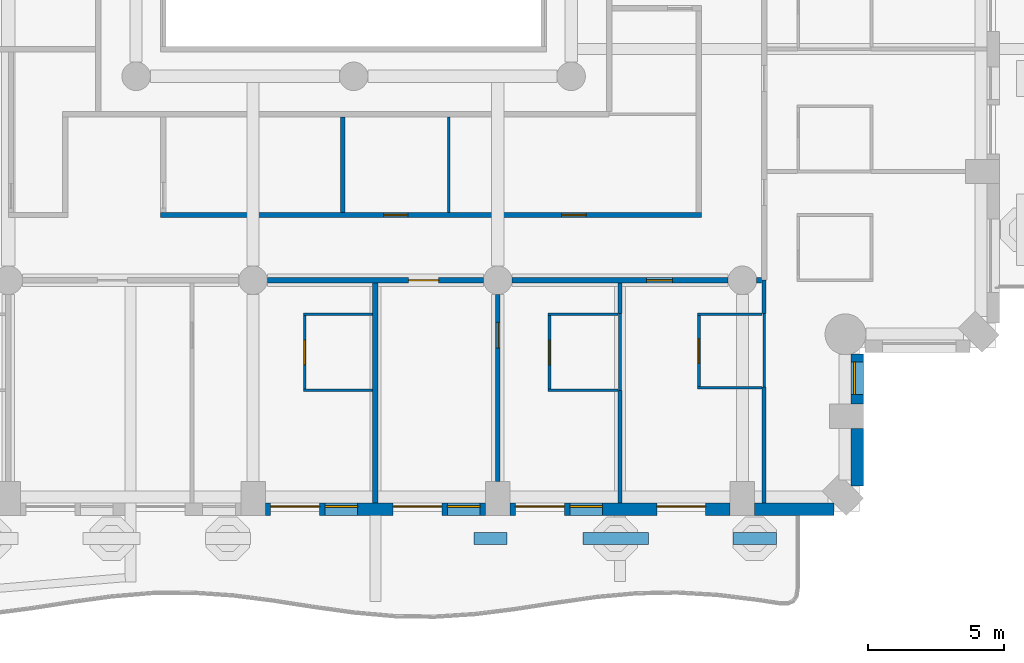
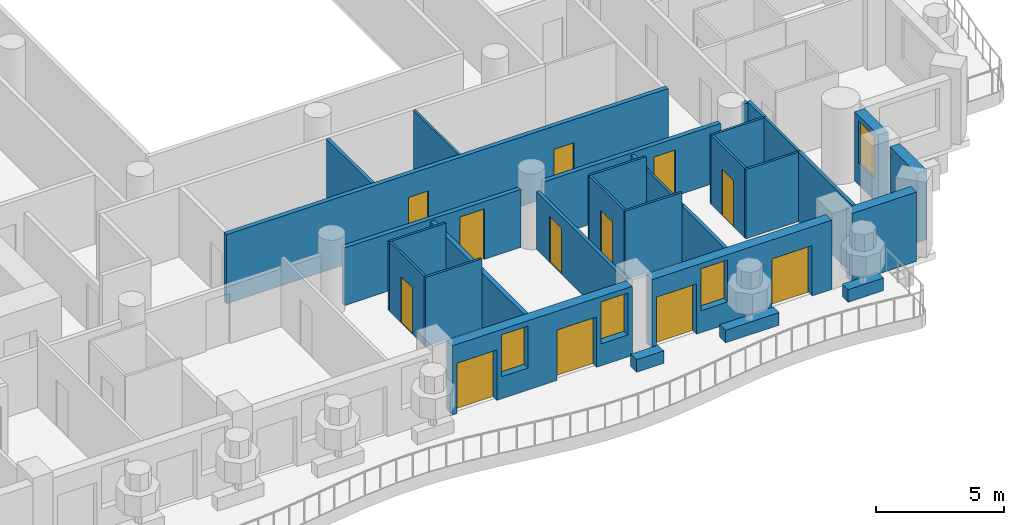
# One storey, part 5 of 20: 31 walls, 12 doors, 4 windows, 16 openings.
"""IFC4 building model written with IfcOpenShell, lengths in metres."""

from ifc_helpers import new_model, si_unit, direction, frame, frame_2d, origin, place, context, subcontext, project, spatial, rectangle, extrude, material, layer, layer_set, type_object, element, fill, save


model = new_model("IFC4")

# Units and contexts
model_context = context("Model", 3, precision=1e-05, world=origin(), true_north=direction((0.0, 1.0)))
body_context = subcontext(model_context, "Body", "Model", "MODEL_VIEW")
ifc_project = project(units=[si_unit("LENGTHUNIT", "METRE"), si_unit("AREAUNIT", "SQUARE_METRE"), si_unit("VOLUMEUNIT", "CUBIC_METRE"), si_unit("PLANEANGLEUNIT", "RADIAN"), si_unit("MASSUNIT", "GRAM", prefix="KILO")], contexts=[model_context])

# Site, building, storey
site_placement = place(None, origin())
site = spatial("IfcSite", under=ifc_project, at=site_placement, CompositionType="ELEMENT")
building_placement = place(site_placement, origin())
building = spatial("IfcBuilding", under=site, at=building_placement, Name="Cypress Arch Tower", CompositionType="ELEMENT")
storey_placement = place(building_placement, frame((0.0, 0.0, 131.10009765625)))
storey = spatial("IfcBuildingStorey", under=building, at=storey_placement, Name="L28", CompositionType="ELEMENT", Elevation=131.10009765625)

# Walls
ifc_material_1 = material(Name="Concrete C40/50, waterproofed", Category="concrete")
ifc_layer_1 = layer(ifc_material_1, 0.449951171875)
ifc_layer_set_1 = layer_set([ifc_layer_1], Name="Balcony planter wall PW450")
wall_type_1 = type_object("IfcWallType", Name="Balcony planter wall PW450", PredefinedType="SOLIDWALL", material=ifc_layer_set_1)
wall_1_placement = place(storey_placement, frame((5.419921875, -27.0, 0.0), z_axis=(0.0, 0.0, 1.0), x_axis=(1.0, 0.0, 0.0)))
element("IfcWall", 1, at=wall_1_placement, inside=storey, type_object=wall_type_1, Name="Balcony planter wall L28-A03.5", PredefinedType="SOLIDWALL", context=body_context, shape_type="SweptSolid", body=[
    extrude(rectangle(XDim=1.22998046875, YDim=0.449951171875, at=frame_2d((0.614990234375, 0.0))), origin(), (0.0, 0.0, 1.0), 0.599853515625),
])
wall_2_placement = place(storey_placement, frame((9.429931640625, -27.0, 0.0), z_axis=(0.0, 0.0, 1.0), x_axis=(1.0, 0.0, 0.0)))
element("IfcWall", 2, at=wall_2_placement, inside=storey, type_object=wall_type_1, Name="Balcony planter wall L28-A03.6", PredefinedType="SOLIDWALL", context=body_context, shape_type="SweptSolid", body=[
    extrude(rectangle(XDim=2.420166015625, YDim=0.449951171875, at=frame_2d((1.2099609375, 0.0))), origin(), (0.0, 0.0, 1.0), 0.599853515625),
])
wall_3_placement = place(storey_placement, frame((14.949951171875, -27.0, 0.0), z_axis=(0.0, 0.0, 1.0), x_axis=(1.0, 0.0, 0.0)))
element("IfcWall", 3, at=wall_3_placement, inside=storey, type_object=wall_type_1, Name="Balcony planter wall L28-A03.7", PredefinedType="SOLIDWALL", context=body_context, shape_type="SweptSolid", body=[
    extrude(rectangle(XDim=1.60009765625, YDim=0.449951171875, at=frame_2d((0.800048828125, 0.0))), origin(), (0.0, 0.0, 1.0), 0.599853515625),
])

# Wall, openings, doors, windows
ifc_material_2 = material(Name="Brick (red buff blend)", Category="masonry")
ifc_layer_2 = layer(ifc_material_2, 0.449951171875)
ifc_layer_set_2 = layer_set([ifc_layer_2], Name="Brick pier and spandrel wall BW450")
wall_type_2 = type_object("IfcWallType", Name="Brick pier and spandrel wall BW450", PredefinedType="SOLIDWALL", material=ifc_layer_set_2)
wall_4_placement = place(storey_placement, frame((-2.25, -25.925048828125, 0.0), z_axis=(0.0, 0.0, 1.0), x_axis=(1.0, 0.0, 0.0)))
wall_4 = element("IfcWall", 4, at=wall_4_placement, inside=storey, type_object=wall_type_2, Name="Brick wall L28 A03.3", PredefinedType="SOLIDWALL", context=body_context, shape_type="SweptSolid", body=[
    extrude(rectangle(XDim=8.10009765625, YDim=0.449951171875, at=frame_2d((4.050048828125, 0.0))), origin(), (0.0, 0.0, 1.0), 3.2998046875),
])
opening_1_placement = place(wall_4_placement, frame((0.199951171875, 0.0, 0.0)))
opening_1 = element("IfcOpeningElement", 5, at=opening_1_placement, cuts=wall_4, Name="Opening D-L28-A03.3.1", PredefinedType="OPENING", context=body_context, shape_type="SweptSolid", body=[
    extrude(rectangle(XDim=1.800048828125, YDim=2.39990234375, at=frame_2d((0.89990234375, 1.199951171875))), frame((0.0, 0.23486328125, 0.0), z_axis=(0.0, -1.0, 0.0), x_axis=(1.0, 0.0, 0.0)), (0.0, 0.0, 1.0), 0.469970703125),
])
opening_2_placement = place(wall_4_placement, frame((2.199951171875, 0.0, 1.050048828125)))
opening_2 = element("IfcOpeningElement", 6, at=opening_2_placement, cuts=wall_4, Name="Opening W120HD", PredefinedType="OPENING", context=body_context, shape_type="SweptSolid", body=[
    extrude(rectangle(XDim=1.199951171875, YDim=2.0, at=frame_2d((0.60009765625, 1.0))), frame((0.0, 0.23486328125, 0.0), z_axis=(0.0, -1.0, 0.0), x_axis=(1.0, 0.0, 0.0)), (0.0, 0.0, 1.0), 0.469970703125),
])
opening_3_placement = place(wall_4_placement, frame((4.699951171875, 0.0, 0.0)))
opening_3 = element("IfcOpeningElement", 7, at=opening_3_placement, cuts=wall_4, Name="Opening D-L28-A03.3.2", PredefinedType="OPENING", context=body_context, shape_type="SweptSolid", body=[
    extrude(rectangle(XDim=1.800048828125, YDim=2.39990234375, at=frame_2d((0.89990234375, 1.199951171875))), frame((0.0, 0.23486328125, 0.0), z_axis=(0.0, -1.0, 0.0), x_axis=(1.0, 0.0, 0.0)), (0.0, 0.0, 1.0), 0.469970703125),
])
opening_4_placement = place(wall_4_placement, frame((6.699951171875, 0.0, 1.050048828125)))
opening_4 = element("IfcOpeningElement", 8, at=opening_4_placement, cuts=wall_4, Name="Opening W120HD", PredefinedType="OPENING", context=body_context, shape_type="SweptSolid", body=[
    extrude(rectangle(XDim=1.199951171875, YDim=2.0, at=frame_2d((0.60009765625, 1.0))), frame((0.0, 0.23486328125, 0.0), z_axis=(0.0, -1.0, 0.0), x_axis=(1.0, 0.0, 0.0)), (0.0, 0.0, 1.0), 0.469970703125),
])
ifc_material_3 = material(Name="Anodised aluminium, bronze finish, laminated low-emissivity double glazing, large-missile impact rated", Category="aluminium")
door_type_1 = type_object("IfcDoorType", Name="Balcony sliding door 1800x2400", OperationType="SLIDING_TO_LEFT", PredefinedType="DOOR", material=ifc_material_3)
door_1_placement = place(opening_1_placement, origin())
door_1 = element("IfcDoor", 9, at=door_1_placement, inside=storey, type_object=door_type_1, Name="Balcony door L28 A03.3.1", OperationType="SLIDING_TO_LEFT", OverallHeight=2.39990234375, OverallWidth=1.800048828125, PredefinedType="DOOR", context=body_context, shape_type="SweptSolid", body=[
    extrude(rectangle(XDim=1.800048828125, YDim=2.39990234375, at=frame_2d((0.89990234375, 1.199951171875))), frame((0.0, 0.1298828125, 0.0), z_axis=(0.0, -1.0, 0.0), x_axis=(1.0, 0.0, 0.0)), (0.0, 0.0, 1.0), 0.050048828125),
])
fill(opening_1, door_1)
door_2_placement = place(opening_3_placement, origin())
door_2 = element("IfcDoor", 10, at=door_2_placement, inside=storey, type_object=door_type_1, Name="Balcony door L28 A03.3.2", OperationType="SLIDING_TO_LEFT", OverallHeight=2.39990234375, OverallWidth=1.800048828125, PredefinedType="DOOR", context=body_context, shape_type="SweptSolid", body=[
    extrude(rectangle(XDim=1.800048828125, YDim=2.39990234375, at=frame_2d((0.89990234375, 1.199951171875))), frame((0.0, 0.1298828125, 0.0), z_axis=(0.0, -1.0, 0.0), x_axis=(1.0, 0.0, 0.0)), (0.0, 0.0, 1.0), 0.050048828125),
])
fill(opening_3, door_2)
ifc_material_4 = material(Name="Anodised aluminium, bronze finish, laminated low-emissivity double glazing, large-missile impact rated", Category="aluminium")
window_type_1 = type_object("IfcWindowType", Name="Window Hotel 1200x2000 debris-rated", PartitioningType="SINGLE_PANEL", PredefinedType="WINDOW", material=ifc_material_4)
window_1_placement = place(opening_2_placement, origin())
window_1 = element("IfcWindow", 11, at=window_1_placement, inside=storey, type_object=window_type_1, Name="Window L28 A03.3.1", OverallHeight=2.0, OverallWidth=1.199951171875, PartitioningType="SINGLE_PANEL", PredefinedType="WINDOW", context=body_context, shape_type="SweptSolid", body=[
    extrude(rectangle(XDim=1.199951171875, YDim=2.0, at=frame_2d((0.60009765625, 1.0))), frame((0.0, 0.135009765625, 0.0), z_axis=(0.0, -1.0, 0.0), x_axis=(1.0, 0.0, 0.0)), (0.0, 0.0, 1.0), 0.06005859375),
])
fill(opening_2, window_1)
window_2_placement = place(opening_4_placement, origin())
window_2 = element("IfcWindow", 12, at=window_2_placement, inside=storey, type_object=window_type_1, Name="Window L28 A03.3.2", OverallHeight=2.0, OverallWidth=1.199951171875, PartitioningType="SINGLE_PANEL", PredefinedType="WINDOW", context=body_context, shape_type="SweptSolid", body=[
    extrude(rectangle(XDim=1.199951171875, YDim=2.0, at=frame_2d((0.60009765625, 1.0))), frame((0.0, 0.135009765625, 0.0), z_axis=(0.0, -1.0, 0.0), x_axis=(1.0, 0.0, 0.0)), (0.0, 0.0, 1.0), 0.06005859375),
])
fill(opening_4, window_2)

# Wall, openings, doors, window
wall_5_placement = place(storey_placement, frame((6.75, -25.925048828125, 0.0), z_axis=(0.0, 0.0, 1.0), x_axis=(1.0, 0.0, 0.0)))
wall_5 = element("IfcWall", 13, at=wall_5_placement, inside=storey, type_object=wall_type_2, Name="Brick wall L28 A03.4", PredefinedType="SOLIDWALL", context=body_context, shape_type="SweptSolid", body=[
    extrude(rectangle(XDim=8.10009765625, YDim=0.449951171875, at=frame_2d((4.050048828125, 0.0))), origin(), (0.0, 0.0, 1.0), 3.2998046875),
])
opening_5_placement = place(wall_5_placement, frame((0.199951171875, 0.0, 0.0)))
opening_5 = element("IfcOpeningElement", 14, at=opening_5_placement, cuts=wall_5, Name="Opening D-L28-A03.4.1", PredefinedType="OPENING", context=body_context, shape_type="SweptSolid", body=[
    extrude(rectangle(XDim=1.800048828125, YDim=2.39990234375, at=frame_2d((0.89990234375, 1.199951171875))), frame((0.0, 0.23486328125, 0.0), z_axis=(0.0, -1.0, 0.0), x_axis=(1.0, 0.0, 0.0)), (0.0, 0.0, 1.0), 0.469970703125),
])
opening_6_placement = place(wall_5_placement, frame((2.199951171875, 0.0, 1.050048828125)))
opening_6 = element("IfcOpeningElement", 15, at=opening_6_placement, cuts=wall_5, Name="Opening W120HD", PredefinedType="OPENING", context=body_context, shape_type="SweptSolid", body=[
    extrude(rectangle(XDim=1.199951171875, YDim=2.0, at=frame_2d((0.60009765625, 1.0))), frame((0.0, 0.23486328125, 0.0), z_axis=(0.0, -1.0, 0.0), x_axis=(1.0, 0.0, 0.0)), (0.0, 0.0, 1.0), 0.469970703125),
])
opening_7_placement = place(wall_5_placement, frame((5.39990234375, 0.0, 0.0)))
opening_7 = element("IfcOpeningElement", 16, at=opening_7_placement, cuts=wall_5, Name="Opening D-L28-A03.4.2", PredefinedType="OPENING", context=body_context, shape_type="SweptSolid", body=[
    extrude(rectangle(XDim=1.800048828125, YDim=2.39990234375, at=frame_2d((0.89990234375, 1.199951171875))), frame((0.0, 0.23486328125, 0.0), z_axis=(0.0, -1.0, 0.0), x_axis=(1.0, 0.0, 0.0)), (0.0, 0.0, 1.0), 0.469970703125),
])
door_3_placement = place(opening_5_placement, origin())
door_3 = element("IfcDoor", 17, at=door_3_placement, inside=storey, type_object=door_type_1, Name="Balcony door L28 A03.4.1", OperationType="SLIDING_TO_LEFT", OverallHeight=2.39990234375, OverallWidth=1.800048828125, PredefinedType="DOOR", context=body_context, shape_type="SweptSolid", body=[
    extrude(rectangle(XDim=1.800048828125, YDim=2.39990234375, at=frame_2d((0.89990234375, 1.199951171875))), frame((0.0, 0.1298828125, 0.0), z_axis=(0.0, -1.0, 0.0), x_axis=(1.0, 0.0, 0.0)), (0.0, 0.0, 1.0), 0.050048828125),
])
fill(opening_5, door_3)
door_4_placement = place(opening_7_placement, origin())
door_4 = element("IfcDoor", 18, at=door_4_placement, inside=storey, type_object=door_type_1, Name="Balcony door L28 A03.4.2", OperationType="SLIDING_TO_LEFT", OverallHeight=2.39990234375, OverallWidth=1.800048828125, PredefinedType="DOOR", context=body_context, shape_type="SweptSolid", body=[
    extrude(rectangle(XDim=1.800048828125, YDim=2.39990234375, at=frame_2d((0.89990234375, 1.199951171875))), frame((0.0, 0.1298828125, 0.0), z_axis=(0.0, -1.0, 0.0), x_axis=(1.0, 0.0, 0.0)), (0.0, 0.0, 1.0), 0.050048828125),
])
fill(opening_7, door_4)
window_3_placement = place(opening_6_placement, origin())
window_3 = element("IfcWindow", 19, at=window_3_placement, inside=storey, type_object=window_type_1, Name="Window L28 A03.4.1", OverallHeight=2.0, OverallWidth=1.199951171875, PartitioningType="SINGLE_PANEL", PredefinedType="WINDOW", context=body_context, shape_type="SweptSolid", body=[
    extrude(rectangle(XDim=1.199951171875, YDim=2.0, at=frame_2d((0.60009765625, 1.0))), frame((0.0, 0.135009765625, 0.0), z_axis=(0.0, -1.0, 0.0), x_axis=(1.0, 0.0, 0.0)), (0.0, 0.0, 1.0), 0.06005859375),
])
fill(opening_6, window_3)

# Walls
wall_6_placement = place(storey_placement, frame((15.75, -25.925048828125, 0.0), z_axis=(0.0, 0.0, 1.0), x_axis=(1.0, 0.0, 0.0)))
element("IfcWall", 20, at=wall_6_placement, inside=storey, type_object=wall_type_2, Name="Brick wall L28 A03.5", PredefinedType="SOLIDWALL", context=body_context, shape_type="SweptSolid", body=[
    extrude(rectangle(XDim=2.91357421875, YDim=0.449951171875, at=frame_2d((1.456787109375, 0.0))), origin(), (0.0, 0.0, 1.0), 3.2998046875),
])
wall_7_placement = place(storey_placement, frame((19.52490234375, -25.063720703125, 0.0), z_axis=(0.0, 0.0, 1.0), x_axis=(0.0, 1.0, 0.0)))
element("IfcWall", 21, at=wall_7_placement, inside=storey, type_object=wall_type_2, Name="Brick wall L28 A04.0", PredefinedType="SOLIDWALL", context=body_context, shape_type="SweptSolid", body=[
    extrude(rectangle(XDim=2.11376953125, YDim=0.449951171875, at=frame_2d((1.056884765625, 0.0))), origin(), (0.0, 0.0, 1.0), 3.2998046875),
])

# Wall, opening, window
wall_8_placement = place(storey_placement, frame((19.52490234375, -22.050048828125, 0.0), z_axis=(0.0, 0.0, 1.0), x_axis=(0.0, 1.0, 0.0)))
wall_8 = element("IfcWall", 22, at=wall_8_placement, inside=storey, type_object=wall_type_2, Name="Brick wall L28 A04.1", PredefinedType="SOLIDWALL", context=body_context, shape_type="SweptSolid", body=[
    extrude(rectangle(XDim=1.843017578125, YDim=0.449951171875, at=frame_2d((0.92138671875, 0.0))), origin(), (0.0, 0.0, 1.0), 3.2998046875),
])
opening_8_placement = place(wall_8_placement, frame((0.35009765625, 0.0, 1.050048828125)))
opening_8 = element("IfcOpeningElement", 23, at=opening_8_placement, cuts=wall_8, Name="Opening W120H", PredefinedType="OPENING", context=body_context, shape_type="SweptSolid", body=[
    extrude(rectangle(XDim=1.199951171875, YDim=2.0, at=frame_2d((0.60009765625, 1.0))), frame((0.0, 0.23486328125, 0.0), z_axis=(0.0, -1.0, 0.0), x_axis=(1.0, 0.0, 0.0)), (0.0, 0.0, 1.0), 0.469970703125),
])
ifc_material_5 = material(Name="Anodised aluminium, bronze finish, clear low-emissivity double glazing", Category="aluminium")
window_type_2 = type_object("IfcWindowType", Name="Window Hotel 1200x2000", PartitioningType="SINGLE_PANEL", PredefinedType="WINDOW", material=ifc_material_5)
window_4_placement = place(opening_8_placement, origin())
window_4 = element("IfcWindow", 24, at=window_4_placement, inside=storey, type_object=window_type_2, Name="Window L28 A04.1.1", OverallHeight=2.0, OverallWidth=1.199951171875, PartitioningType="SINGLE_PANEL", PredefinedType="WINDOW", context=body_context, shape_type="SweptSolid", body=[
    extrude(rectangle(XDim=1.199951171875, YDim=2.0, at=frame_2d((0.60009765625, 1.0))), frame((0.0, 0.135009765625, 0.0), z_axis=(0.0, -1.0, 0.0), x_axis=(1.0, 0.0, 0.0)), (0.0, 0.0, 1.0), 0.06005859375),
])
fill(opening_8, window_4)

# Wall, opening, door
ifc_material_6 = material(Name="Concrete blockwork, plastered, rated", Category="masonry")
ifc_layer_3 = layer(ifc_material_6, 0.199951171875)
ifc_layer_set_3 = layer_set([ifc_layer_3], Name="Corridor wall FW200")
wall_type_3 = type_object("IfcWallType", Name="Corridor wall FW200", PredefinedType="PARTITIONING", material=ifc_layer_set_3)
wall_9_placement = place(storey_placement, frame((-2.175048828125, -17.5, 0.0), z_axis=(0.0, 0.0, 1.0), x_axis=(1.0, 0.0, 0.0)))
wall_9 = element("IfcWall", 25, at=wall_9_placement, inside=storey, type_object=wall_type_3, Name="Corridor wall", PredefinedType="PARTITIONING", context=body_context, shape_type="SweptSolid", body=[
    extrude(rectangle(XDim=7.949951171875, YDim=0.199951171875, at=frame_2d((3.97509765625, 0.0))), origin(), (0.0, 0.0, 1.0), 2.75),
])
opening_9_placement = place(wall_9_placement, frame((5.199951171875, 0.0, 0.0)))
opening_9 = element("IfcOpeningElement", 26, at=opening_9_placement, cuts=wall_9, Name="Opening D01", PredefinedType="OPENING", context=body_context, shape_type="SweptSolid", body=[
    extrude(rectangle(XDim=1.10009765625, YDim=2.39990234375, at=frame_2d((0.550048828125, 1.199951171875))), frame((0.0, 0.10986328125, 0.0), z_axis=(0.0, -1.0, 0.0), x_axis=(1.0, 0.0, 0.0)), (0.0, 0.0, 1.0), 0.219970703125),
])
ifc_material_7 = material(Name="Timber flush door, fire resisting, self-closing", Category="wood")
door_type_2 = type_object("IfcDoorType", Name="Unit entrance door D01 1100x2400", OperationType="SINGLE_SWING_LEFT", PredefinedType="DOOR", material=ifc_material_7)
door_5_placement = place(opening_9_placement, origin())
door_5 = element("IfcDoor", 27, at=door_5_placement, inside=storey, type_object=door_type_2, Name="Unit entrance door", OperationType="SINGLE_SWING_RIGHT", OverallHeight=2.39990234375, OverallWidth=1.10009765625, PredefinedType="DOOR", context=body_context, shape_type="SweptSolid", body=[
    extrude(rectangle(XDim=1.10009765625, YDim=2.39990234375, at=frame_2d((0.550048828125, 1.199951171875))), frame((0.0, 0.02490234375, 0.0), z_axis=(0.0, -1.0, 0.0), x_axis=(1.0, 0.0, 0.0)), (0.0, 0.0, 1.0), 0.050048828125),
])
fill(opening_9, door_5)

wall_10_placement = place(storey_placement, frame((6.824951171875, -17.5, 0.0), z_axis=(0.0, 0.0, 1.0), x_axis=(1.0, 0.0, 0.0)))
wall_10 = element("IfcWall", 28, at=wall_10_placement, inside=storey, type_object=wall_type_3, Name="Corridor wall", PredefinedType="PARTITIONING", context=body_context, shape_type="SweptSolid", body=[
    extrude(rectangle(XDim=7.949951171875, YDim=0.199951171875, at=frame_2d((3.97509765625, 0.0))), origin(), (0.0, 0.0, 1.0), 2.75),
])
opening_10_placement = place(wall_10_placement, frame((4.949951171875, 0.0, 0.0)))
opening_10 = element("IfcOpeningElement", 29, at=opening_10_placement, cuts=wall_10, Name="Opening D02", PredefinedType="OPENING", context=body_context, shape_type="SweptSolid", body=[
    extrude(rectangle(XDim=0.949951171875, YDim=2.199951171875, at=frame_2d((0.47509765625, 1.10009765625))), frame((0.0, 0.10986328125, 0.0), z_axis=(0.0, -1.0, 0.0), x_axis=(1.0, 0.0, 0.0)), (0.0, 0.0, 1.0), 0.219970703125),
])
ifc_material_8 = material(Name="Timber flush door, fire resisting", Category="wood")
door_type_3 = type_object("IfcDoorType", Name="Room door D02 950x2200", OperationType="SINGLE_SWING_LEFT", PredefinedType="DOOR", material=ifc_material_8)
door_6_placement = place(opening_10_placement, origin())
door_6 = element("IfcDoor", 30, at=door_6_placement, inside=storey, type_object=door_type_3, Name="Room door", OperationType="SINGLE_SWING_RIGHT", OverallHeight=2.199951171875, OverallWidth=0.949951171875, PredefinedType="DOOR", context=body_context, shape_type="SweptSolid", body=[
    extrude(rectangle(XDim=0.949951171875, YDim=2.199951171875, at=frame_2d((0.47509765625, 1.10009765625))), frame((0.0, 0.02490234375, 0.0), z_axis=(0.0, -1.0, 0.0), x_axis=(1.0, 0.0, 0.0)), (0.0, 0.0, 1.0), 0.050048828125),
])
fill(opening_10, door_6)

# Wall
wall_11_placement = place(storey_placement, frame((15.824951171875, -17.5, 0.0), z_axis=(0.0, 0.0, 1.0), x_axis=(1.0, 0.0, 0.0)))
element("IfcWall", 31, at=wall_11_placement, inside=storey, type_object=wall_type_3, Name="Corridor wall", PredefinedType="PARTITIONING", context=body_context, shape_type="SweptSolid", body=[
    extrude(rectangle(XDim=0.175048828125, YDim=0.199951171875, at=frame_2d((0.08740234375, 0.0))), origin(), (0.0, 0.0, 1.0), 3.2998046875),
])

# Wall, openings, doors
wall_12_placement = place(storey_placement, frame((-6.10009765625, -15.10009765625, 0.0), z_axis=(0.0, 0.0, 1.0), x_axis=(1.0, 0.0, 0.0)))
wall_12 = element("IfcWall", 32, at=wall_12_placement, inside=storey, type_object=wall_type_3, Name="Corridor wall", PredefinedType="PARTITIONING", context=body_context, shape_type="SweptSolid", body=[
    extrude(rectangle(XDim=19.900146484375, YDim=0.199951171875, at=frame_2d((9.9501953125, 0.0))), origin(), (0.0, 0.0, 1.0), 3.2998046875),
])
opening_11_placement = place(wall_12_placement, frame((8.199951171875, 0.0, 0.0)))
opening_11 = element("IfcOpeningElement", 33, at=opening_11_placement, cuts=wall_12, Name="Opening D05", PredefinedType="OPENING", context=body_context, shape_type="SweptSolid", body=[
    extrude(rectangle(XDim=0.89990234375, YDim=2.199951171875, at=frame_2d((0.449951171875, 1.10009765625))), frame((0.0, 0.10986328125, 0.0), z_axis=(0.0, -1.0, 0.0), x_axis=(1.0, 0.0, 0.0)), (0.0, 0.0, 1.0), 0.219970703125),
])
opening_12_placement = place(wall_12_placement, frame((14.75, 0.0, 0.0)))
opening_12 = element("IfcOpeningElement", 34, at=opening_12_placement, cuts=wall_12, Name="Opening D03", PredefinedType="OPENING", context=body_context, shape_type="SweptSolid", body=[
    extrude(rectangle(XDim=0.89990234375, YDim=2.199951171875, at=frame_2d((0.449951171875, 1.10009765625))), frame((0.0, 0.10986328125, 0.0), z_axis=(0.0, -1.0, 0.0), x_axis=(1.0, 0.0, 0.0)), (0.0, 0.0, 1.0), 0.219970703125),
])
ifc_material_9 = material(Name="Timber flush door, moisture resistant", Category="wood")
door_type_4 = type_object("IfcDoorType", Name="Bathroom door D03 900x2200", OperationType="SINGLE_SWING_LEFT", PredefinedType="DOOR", material=ifc_material_9)
door_7_placement = place(opening_12_placement, origin())
door_7 = element("IfcDoor", 35, at=door_7_placement, inside=storey, type_object=door_type_4, Name="Bathroom door", OperationType="SINGLE_SWING_RIGHT", OverallHeight=2.199951171875, OverallWidth=0.89990234375, PredefinedType="DOOR", context=body_context, shape_type="SweptSolid", body=[
    extrude(rectangle(XDim=0.89990234375, YDim=2.199951171875, at=frame_2d((0.449951171875, 1.10009765625))), frame((0.0, 0.02490234375, 0.0), z_axis=(0.0, -1.0, 0.0), x_axis=(1.0, 0.0, 0.0)), (0.0, 0.0, 1.0), 0.050048828125),
])
fill(opening_12, door_7)
ifc_material_10 = material(Name="Timber flush door", Category="wood")
door_type_5 = type_object("IfcDoorType", Name="Service door D05 900x2200", OperationType="SINGLE_SWING_LEFT", PredefinedType="DOOR", material=ifc_material_10)
door_8_placement = place(opening_11_placement, origin())
door_8 = element("IfcDoor", 36, at=door_8_placement, inside=storey, type_object=door_type_5, Name="Service door", OperationType="SINGLE_SWING_LEFT", OverallHeight=2.199951171875, OverallWidth=0.89990234375, PredefinedType="DOOR", context=body_context, shape_type="SweptSolid", body=[
    extrude(rectangle(XDim=0.89990234375, YDim=2.199951171875, at=frame_2d((0.449951171875, 1.10009765625))), frame((0.0, 0.02490234375, 0.0), z_axis=(0.0, -1.0, 0.0), x_axis=(1.0, 0.0, 0.0)), (0.0, 0.0, 1.0), 0.050048828125),
])
fill(opening_11, door_8)

# Wall
ifc_material_11 = material(Name="Blockwork, plastered both sides", Category="masonry")
ifc_layer_4 = layer(ifc_material_11, 0.14990234375)
ifc_layer_set_4 = layer_set([ifc_layer_4], Name="Partition PW150")
wall_type_4 = type_object("IfcWallType", Name="Partition PW150", PredefinedType="PARTITIONING", material=ifc_layer_set_4)
wall_13_placement = place(storey_placement, frame((0.60009765625, -15.0, 0.0), z_axis=(0.0, 0.0, 1.0), x_axis=(0.0, 1.0, 0.0)))
element("IfcWall", 37, at=wall_13_placement, inside=storey, type_object=wall_type_4, Name="Partition", PredefinedType="PARTITIONING", context=body_context, shape_type="SweptSolid", body=[
    extrude(rectangle(XDim=3.5, YDim=0.14990234375, at=frame_2d((1.75, 0.0))), origin(), (0.0, 0.0, 1.0), 3.2998046875),
])

# Wall, opening, door
wall_14_placement = place(storey_placement, frame((6.300048828125, -24.89990234375, 0.0), z_axis=(0.0, 0.0, 1.0), x_axis=(0.0, 1.0, 0.0)))
wall_14 = element("IfcWall", 38, at=wall_14_placement, inside=storey, type_object=wall_type_4, Name="Partition", PredefinedType="PARTITIONING", context=body_context, shape_type="SweptSolid", body=[
    extrude(rectangle(XDim=6.875, YDim=0.14990234375, at=frame_2d((3.4375, 0.0))), origin(), (0.0, 0.0, 1.0), 2.75),
])
opening_13_placement = place(wall_14_placement, frame((4.89990234375, 0.0, 0.0)))
opening_13 = element("IfcOpeningElement", 39, at=opening_13_placement, cuts=wall_14, Name="Opening D12", PredefinedType="OPENING", context=body_context, shape_type="SweptSolid", body=[
    extrude(rectangle(XDim=0.949951171875, YDim=2.199951171875, at=frame_2d((0.47509765625, 1.10009765625))), frame((0.0, 0.0849609375, 0.0), z_axis=(0.0, -1.0, 0.0), x_axis=(1.0, 0.0, 0.0)), (0.0, 0.0, 1.0), 0.169921875),
])
ifc_material_12 = material(Name="Timber flush door", Category="wood")
door_type_6 = type_object("IfcDoorType", Name="Room door D12 950x2200", OperationType="SINGLE_SWING_LEFT", PredefinedType="DOOR", material=ifc_material_12)
door_9_placement = place(opening_13_placement, origin())
door_9 = element("IfcDoor", 40, at=door_9_placement, inside=storey, type_object=door_type_6, Name="Room door", OperationType="SINGLE_SWING_RIGHT", OverallHeight=2.199951171875, OverallWidth=0.949951171875, PredefinedType="DOOR", context=body_context, shape_type="SweptSolid", body=[
    extrude(rectangle(XDim=0.949951171875, YDim=2.199951171875, at=frame_2d((0.47509765625, 1.10009765625))), frame((0.0, 0.02490234375, 0.0), z_axis=(0.0, -1.0, 0.0), x_axis=(1.0, 0.0, 0.0)), (0.0, 0.0, 1.0), 0.050048828125),
])
fill(opening_13, door_9)

# Walls
wall_15_placement = place(storey_placement, frame((10.800048828125, -25.699951171875, 0.0), z_axis=(0.0, 0.0, 1.0), x_axis=(0.0, 1.0, 0.0)))
element("IfcWall", 41, at=wall_15_placement, inside=storey, type_object=wall_type_4, Name="Partition", PredefinedType="PARTITIONING", context=body_context, shape_type="SweptSolid", body=[
    extrude(rectangle(XDim=4.14990234375, YDim=0.14990234375, at=frame_2d((2.074951171875, 0.0))), origin(), (0.0, 0.0, 1.0), 2.64990234375),
])
wall_16_placement = place(storey_placement, frame((10.800048828125, -18.72998046875, 0.0), z_axis=(0.0, 0.0, 1.0), x_axis=(0.0, 1.0, 0.0)))
element("IfcWall", 42, at=wall_16_placement, inside=storey, type_object=wall_type_4, Name="Partition", PredefinedType="PARTITIONING", context=body_context, shape_type="SweptSolid", body=[
    extrude(rectangle(XDim=1.1298828125, YDim=0.14990234375, at=frame_2d((0.56494140625, 0.0))), origin(), (0.0, 0.0, 1.0), 2.64990234375),
])
wall_17_placement = place(storey_placement, frame((16.10009765625, -25.699951171875, 0.0), z_axis=(0.0, 0.0, 1.0), x_axis=(0.0, 1.0, 0.0)))
element("IfcWall", 43, at=wall_17_placement, inside=storey, type_object=wall_type_4, Name="Partition", PredefinedType="PARTITIONING", context=body_context, shape_type="SweptSolid", body=[
    extrude(rectangle(XDim=4.27001953125, YDim=0.14990234375, at=frame_2d((2.135009765625, 0.0))), origin(), (0.0, 0.0, 1.0), 3.2998046875),
])
wall_18_placement = place(storey_placement, frame((16.10009765625, -18.72998046875, 0.0), z_axis=(0.0, 0.0, 1.0), x_axis=(0.0, 1.0, 0.0)))
element("IfcWall", 44, at=wall_18_placement, inside=storey, type_object=wall_type_4, Name="Partition", PredefinedType="PARTITIONING", context=body_context, shape_type="SweptSolid", body=[
    extrude(rectangle(XDim=1.22998046875, YDim=0.14990234375, at=frame_2d((0.614990234375, 0.0))), origin(), (0.0, 0.0, 1.0), 3.2998046875),
])
ifc_material_13 = material(Name="Dense blockwork, plastered both sides, acoustic and rated", Category="masonry")
ifc_layer_5 = layer(ifc_material_13, 0.199951171875)
ifc_layer_set_5 = layer_set([ifc_layer_5], Name="Party wall PW200")
wall_type_5 = type_object("IfcWallType", Name="Party wall PW200", PredefinedType="PARTITIONING", material=ifc_layer_set_5)
wall_19_placement = place(storey_placement, frame((1.800048828125, -25.699951171875, 0.0), z_axis=(0.0, 0.0, 1.0), x_axis=(0.0, 1.0, 0.0)))
element("IfcWall", 45, at=wall_19_placement, inside=storey, type_object=wall_type_5, Name="Party wall", PredefinedType="PARTITIONING", context=body_context, shape_type="SweptSolid", body=[
    extrude(rectangle(XDim=8.099853515625, YDim=0.199951171875, at=frame_2d((4.0498046875, 0.0))), origin(), (0.0, 0.0, 1.0), 2.64990234375),
])

# Wall, opening, door
ifc_material_14 = material(Name="Moisture resistant board on steel studs, tiled", Category="steel")
ifc_layer_6 = layer(ifc_material_14, 0.10009765625)
ifc_layer_set_6 = layer_set([ifc_layer_6], Name="Wet wall PW100")
wall_type_6 = type_object("IfcWallType", Name="Wet wall PW100", PredefinedType="PARTITIONING", material=ifc_layer_set_6)
wall_20_placement = place(storey_placement, frame((-0.7958984375, -21.5, 0.0), z_axis=(0.0, 0.0, 1.0), x_axis=(0.0, 1.0, 0.0)))
wall_20 = element("IfcWall", 46, at=wall_20_placement, inside=storey, type_object=wall_type_6, Name="Wet wall", PredefinedType="PARTITIONING", context=body_context, shape_type="SweptSolid", body=[
    extrude(rectangle(XDim=2.699951171875, YDim=0.10009765625, at=frame_2d((1.35009765625, 0.0))), origin(), (0.0, 0.0, 1.0), 3.2998046875),
])
opening_14_placement = place(wall_20_placement, frame((0.89990234375, 0.0, 0.0)))
opening_14 = element("IfcOpeningElement", 47, at=opening_14_placement, cuts=wall_20, Name="Opening D03", PredefinedType="OPENING", context=body_context, shape_type="SweptSolid", body=[
    extrude(rectangle(XDim=0.89990234375, YDim=2.199951171875, at=frame_2d((0.449951171875, 1.10009765625))), frame((0.0, 0.06005859375, 0.0), z_axis=(0.0, -1.0, 0.0), x_axis=(1.0, 0.0, 0.0)), (0.0, 0.0, 1.0), 0.1201171875),
])
door_10_placement = place(opening_14_placement, origin())
door_10 = element("IfcDoor", 48, at=door_10_placement, inside=storey, type_object=door_type_4, Name="Bathroom door", OperationType="SINGLE_SWING_LEFT", OverallHeight=2.199951171875, OverallWidth=0.89990234375, PredefinedType="DOOR", context=body_context, shape_type="SweptSolid", body=[
    extrude(rectangle(XDim=0.89990234375, YDim=2.199951171875, at=frame_2d((0.449951171875, 1.10009765625))), frame((0.0, 0.02490234375, 0.0), z_axis=(0.0, -1.0, 0.0), x_axis=(1.0, 0.0, 0.0)), (0.0, 0.0, 1.0), 0.050048828125),
])
fill(opening_14, door_10)

# Walls
for number, where, z_axis, x_axis, name in (
    (49, (-0.845947265625, -21.550048828125, 0.0), (0.0, 0.0, 1.0), (1.0, 0.0, 0.0), "Wet wall"),
    (50, (-0.845947265625, -18.75, 0.0), (0.0, 0.0, 1.0), (1.0, 0.0, 0.0), "Wet wall"),
):
    element("IfcWall", number, at=place(storey_placement, frame(where, z_axis=z_axis, x_axis=x_axis)), inside=storey, type_object=wall_type_6, Name=name, PredefinedType="PARTITIONING", context=body_context, shape_type="SweptSolid", body=[
        extrude(rectangle(XDim=2.5458984375, YDim=0.10009765625, at=frame_2d((1.27294921875, 0.0))), origin(), (0.0, 0.0, 1.0), 3.2998046875),
    ])
wall_21_placement = place(storey_placement, frame((4.5, -15.0, 0.0), z_axis=(0.0, 0.0, 1.0), x_axis=(0.0, 1.0, 0.0)))
element("IfcWall", 51, at=wall_21_placement, inside=storey, type_object=wall_type_6, Name="Wet wall", PredefinedType="PARTITIONING", context=body_context, shape_type="SweptSolid", body=[
    extrude(rectangle(XDim=3.5, YDim=0.10009765625, at=frame_2d((1.75, 0.0))), origin(), (0.0, 0.0, 1.0), 3.2998046875),
])

# Wall, opening, door
wall_22_placement = place(storey_placement, frame((8.2041015625, -21.5, 0.0), z_axis=(0.0, 0.0, 1.0), x_axis=(0.0, 1.0, 0.0)))
wall_22 = element("IfcWall", 52, at=wall_22_placement, inside=storey, type_object=wall_type_6, Name="Wet wall", PredefinedType="PARTITIONING", context=body_context, shape_type="SweptSolid", body=[
    extrude(rectangle(XDim=2.699951171875, YDim=0.10009765625, at=frame_2d((1.35009765625, 0.0))), origin(), (0.0, 0.0, 1.0), 3.2998046875),
])
opening_15_placement = place(wall_22_placement, frame((0.89990234375, 0.0, 0.0)))
opening_15 = element("IfcOpeningElement", 53, at=opening_15_placement, cuts=wall_22, Name="Opening D03", PredefinedType="OPENING", context=body_context, shape_type="SweptSolid", body=[
    extrude(rectangle(XDim=0.89990234375, YDim=2.199951171875, at=frame_2d((0.449951171875, 1.10009765625))), frame((0.0, 0.06005859375, 0.0), z_axis=(0.0, -1.0, 0.0), x_axis=(1.0, 0.0, 0.0)), (0.0, 0.0, 1.0), 0.1201171875),
])
door_11_placement = place(opening_15_placement, origin())
door_11 = element("IfcDoor", 54, at=door_11_placement, inside=storey, type_object=door_type_4, Name="Bathroom door", OperationType="SINGLE_SWING_LEFT", OverallHeight=2.199951171875, OverallWidth=0.89990234375, PredefinedType="DOOR", context=body_context, shape_type="SweptSolid", body=[
    extrude(rectangle(XDim=0.89990234375, YDim=2.199951171875, at=frame_2d((0.449951171875, 1.10009765625))), frame((0.0, 0.02490234375, 0.0), z_axis=(0.0, -1.0, 0.0), x_axis=(1.0, 0.0, 0.0)), (0.0, 0.0, 1.0), 0.050048828125),
])
fill(opening_15, door_11)

# Walls
for number, where, z_axis, x_axis, name in (
    (55, (8.154052734375, -21.550048828125, 0.0), (0.0, 0.0, 1.0), (1.0, 0.0, 0.0), "Wet wall"),
    (56, (8.154052734375, -18.75, 0.0), (0.0, 0.0, 1.0), (1.0, 0.0, 0.0), "Wet wall"),
):
    element("IfcWall", number, at=place(storey_placement, frame(where, z_axis=z_axis, x_axis=x_axis)), inside=storey, type_object=wall_type_6, Name=name, PredefinedType="PARTITIONING", context=body_context, shape_type="SweptSolid", body=[
        extrude(rectangle(XDim=2.571044921875, YDim=0.10009765625, at=frame_2d((1.28564453125, 0.0))), origin(), (0.0, 0.0, 1.0), 3.2998046875),
    ])
wall_23_placement = place(storey_placement, frame((10.800048828125, -21.550048828125, 0.0), z_axis=(0.0, 0.0, 1.0), x_axis=(0.0, 1.0, 0.0)))
element("IfcWall", 57, at=wall_23_placement, inside=storey, type_object=wall_type_6, Name="Wet wall", PredefinedType="PARTITIONING", context=body_context, shape_type="SweptSolid", body=[
    extrude(rectangle(XDim=2.820068359375, YDim=0.10009765625, at=frame_2d((1.41015625, 0.0))), origin(), (0.0, 0.0, 1.0), 2.64990234375),
])

# Wall, opening, door
wall_24_placement = place(storey_placement, frame((13.699951171875, -21.39990234375, 0.0), z_axis=(0.0, 0.0, 1.0), x_axis=(0.0, 1.0, 0.0)))
wall_24 = element("IfcWall", 58, at=wall_24_placement, inside=storey, type_object=wall_type_6, Name="Wet wall", PredefinedType="PARTITIONING", context=body_context, shape_type="SweptSolid", body=[
    extrude(rectangle(XDim=2.599853515625, YDim=0.10009765625, at=frame_2d((1.2998046875, 0.0))), origin(), (0.0, 0.0, 1.0), 3.2998046875),
])
opening_16_placement = place(wall_24_placement, frame((0.85009765625, 0.0, 0.0)))
opening_16 = element("IfcOpeningElement", 59, at=opening_16_placement, cuts=wall_24, Name="Opening D03", PredefinedType="OPENING", context=body_context, shape_type="SweptSolid", body=[
    extrude(rectangle(XDim=0.89990234375, YDim=2.199951171875, at=frame_2d((0.449951171875, 1.10009765625))), frame((0.0, 0.06005859375, 0.0), z_axis=(0.0, -1.0, 0.0), x_axis=(1.0, 0.0, 0.0)), (0.0, 0.0, 1.0), 0.1201171875),
])
door_12_placement = place(opening_16_placement, origin())
door_12 = element("IfcDoor", 60, at=door_12_placement, inside=storey, type_object=door_type_4, Name="Bathroom door", OperationType="SINGLE_SWING_LEFT", OverallHeight=2.199951171875, OverallWidth=0.89990234375, PredefinedType="DOOR", context=body_context, shape_type="SweptSolid", body=[
    extrude(rectangle(XDim=0.89990234375, YDim=2.199951171875, at=frame_2d((0.449951171875, 1.10009765625))), frame((0.0, 0.02490234375, 0.0), z_axis=(0.0, -1.0, 0.0), x_axis=(1.0, 0.0, 0.0)), (0.0, 0.0, 1.0), 0.050048828125),
])
fill(opening_16, door_12)

# Walls
for number, where, z_axis, x_axis, name in (
    (61, (13.64990234375, -21.449951171875, 0.0), (0.0, 0.0, 1.0), (1.0, 0.0, 0.0), "Wet wall"),
    (62, (13.64990234375, -18.75, 0.0), (0.0, 0.0, 1.0), (1.0, 0.0, 0.0), "Wet wall"),
):
    element("IfcWall", number, at=place(storey_placement, frame(where, z_axis=z_axis, x_axis=x_axis)), inside=storey, type_object=wall_type_6, Name=name, PredefinedType="PARTITIONING", context=body_context, shape_type="SweptSolid", body=[
        extrude(rectangle(XDim=2.375, YDim=0.10009765625, at=frame_2d((1.1875, 0.0))), origin(), (0.0, 0.0, 1.0), 3.2998046875),
    ])
wall_25_placement = place(storey_placement, frame((16.10009765625, -21.429931640625, 0.0), z_axis=(0.0, 0.0, 1.0), x_axis=(0.0, 1.0, 0.0)))
element("IfcWall", 63, at=wall_25_placement, inside=storey, type_object=wall_type_6, Name="Wet wall", PredefinedType="PARTITIONING", context=body_context, shape_type="SweptSolid", body=[
    extrude(rectangle(XDim=2.699951171875, YDim=0.10009765625, at=frame_2d((1.35009765625, 0.0))), origin(), (0.0, 0.0, 1.0), 3.2998046875),
])

save(model, "model.ifc")
